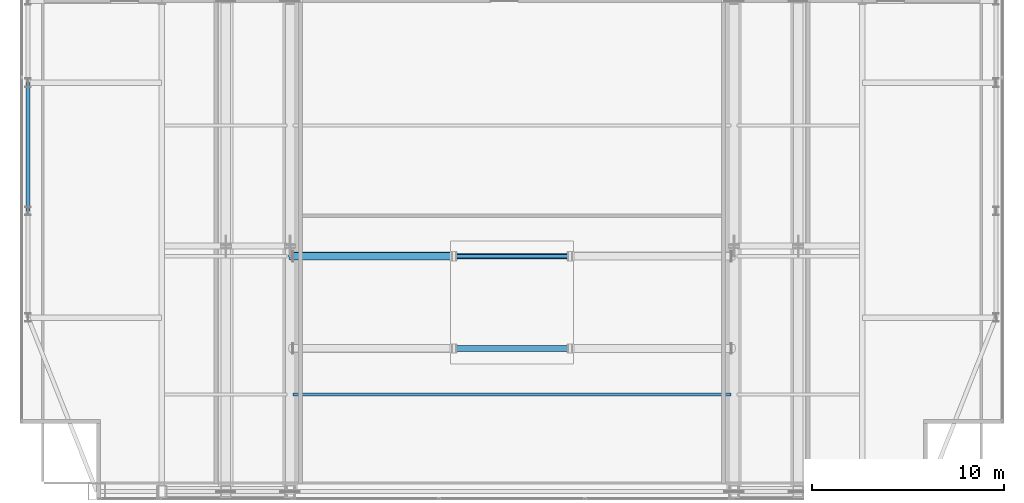
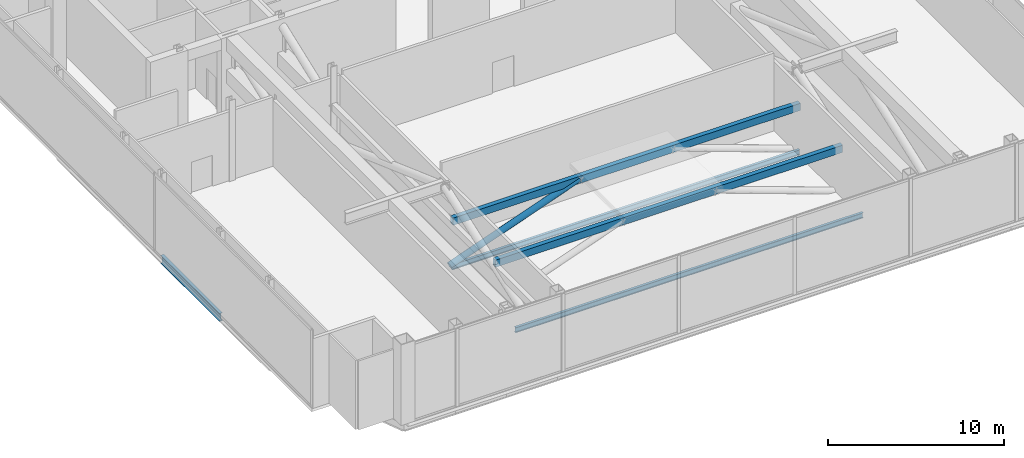
# One storey, part 9 of 26: 5 beams, 1 member.
"""IFC4 building model written with IfcOpenShell, lengths in metres."""

import ifcopenshell
import ifcopenshell.guid

model = None  # the IFC model being written
_history = None  # IfcOwnerHistory: only IFC2X3 demands one
_inside = {}  # id of a spatial element -> (the spatial element, [elements in it])
_under = {}  # id of a project, library or spatial element -> (it, [spatial elements below it])
_declared = {}  # id of a project -> (the project, [libraries it declares])
_typed = {}  # id of a type object -> (the type object, [elements of that type])
_made_of = {}  # id of a material, layer set ... -> (it, [elements and type objects made of it])


def new_model(schema):
    """Start an empty IFC model of exactly this schema.

    Asked for "IFC4X3", IfcOpenShell would pick the latest addendum, in which some entities
    have other attributes; the version numbers below select the first issue.
    IFC2X3 requires an IfcOwnerHistory on every rooted entity: one is made here for all.
    """
    global model, _history
    if schema == "IFC4X3":
        model = ifcopenshell.file(schema_version=(4, 3, 0, 0))
    else:
        model = ifcopenshell.file(schema=schema)
    _inside.clear()
    _under.clear()
    _declared.clear()
    _typed.clear()
    _made_of.clear()
    _history = None
    if model.schema == "IFC2X3":
        org = make("IfcOrganization", Name="unknown")
        user = make(
            "IfcPersonAndOrganization",
            ThePerson=make("IfcPerson", FamilyName="unknown"),
            TheOrganization=org,
        )
        app = make(
            "IfcApplication",
            ApplicationDeveloper=org,
            Version="unknown",
            ApplicationFullName="unknown",
            ApplicationIdentifier="unknown",
        )
        _history = make(
            "IfcOwnerHistory",
            OwningUser=user,
            OwningApplication=app,
            ChangeAction="ADDED",
            CreationDate=0,
        )
    return model


def make(cls, **values):
    """One entity of the class cls with the attributes given. An attribute that is None is left unset."""
    return model.create_entity(
        cls, **{name: value for name, value in values.items() if value is not None}
    )


def rooted(cls, **values):
    """An entity with a GlobalId (a new one), such as an element, a storey or a relation."""
    return make(cls, GlobalId=ifcopenshell.guid.new(), OwnerHistory=_history, **values)


def si_unit(unit_type, name, prefix=None):
    """IfcSIUnit, for example si_unit("LENGTHUNIT", "METRE", prefix="MILLI")."""
    return make("IfcSIUnit", UnitType=unit_type, Prefix=prefix, Name=name)


def assignment(units):
    """IfcUnitAssignment: the units of a project."""
    return None if units is None else make("IfcUnitAssignment", Units=units)


def point(xyz):
    """IfcCartesianPoint."""
    return None if xyz is None else make("IfcCartesianPoint", Coordinates=xyz)


def direction(xyz):
    """IfcDirection."""
    return None if xyz is None else make("IfcDirection", DirectionRatios=xyz)


def frame(location, z_axis=None, x_axis=None):
    """IfcAxis2Placement3D, a coordinate frame: its origin and axes. An axis left out is left unset."""
    return make(
        "IfcAxis2Placement3D",
        Location=point(location),
        Axis=direction(z_axis),
        RefDirection=direction(x_axis),
    )


def frame_2d(location, x_axis=None):
    """IfcAxis2Placement2D, a coordinate frame in the plane: its origin and x axis."""
    return make(
        "IfcAxis2Placement2D", Location=point(location), RefDirection=direction(x_axis)
    )


def origin():
    """The frame at (0, 0, 0) with its axes left unset."""
    return frame((0.0, 0.0, 0.0))


def origin_2d():
    """The frame at (0, 0) in the plane with its x axis left unset."""
    return frame_2d((0.0, 0.0))


def place(relative_to, where):
    """IfcLocalPlacement: puts the frame where relative to a parent placement (None: the world)."""
    return make(
        "IfcLocalPlacement", PlacementRelTo=relative_to, RelativePlacement=where
    )


def context(
    kind, dimensions, precision=None, world=None, true_north=None, identifier=None
):
    """IfcGeometricRepresentationContext, for example the 3D "Model" context."""
    return make(
        "IfcGeometricRepresentationContext",
        ContextIdentifier=identifier,
        ContextType=kind,
        CoordinateSpaceDimension=dimensions,
        Precision=precision,
        WorldCoordinateSystem=world,
        TrueNorth=true_north,
    )


def subcontext(parent, identifier, kind, view, scale=None):
    """IfcGeometricRepresentationSubContext, for example "Body" below "Model"."""
    return make(
        "IfcGeometricRepresentationSubContext",
        ContextIdentifier=identifier,
        ContextType=kind,
        ParentContext=parent,
        TargetScale=scale,
        TargetView=view,
    )


def project(units=None, contexts=None):
    """IfcProject with its units and contexts."""
    return rooted(
        "IfcProject",
        Name="project",
        RepresentationContexts=contexts,
        UnitsInContext=assignment(units),
    )


def spatial(cls, under=None, at=None, **own):
    """A site, building, storey or space (cls), placed at a placement, below another one or the project."""
    s = rooted(cls, ObjectPlacement=at, **own)
    if under is not None:
        _under.setdefault(under.id(), (under, []))[1].append(s)
    return s


def profile(cls, at=None, kind="AREA", **sizes):
    """A parametric profile (cls). Its sizes go by their IFC names, for example OverallWidth=200.0."""
    return make(cls, ProfileType=kind, Position=at, **sizes)


def hollow_rectangle(**sizes):
    """IfcRectangleHollowProfileDef."""
    return profile("IfcRectangleHollowProfileDef", **sizes)


def hollow_circle(**sizes):
    """IfcCircleHollowProfileDef."""
    return profile("IfcCircleHollowProfileDef", **sizes)


def i_section(**sizes):
    """IfcIShapeProfileDef."""
    return profile("IfcIShapeProfileDef", **sizes)


def extrude(swept, where, along, depth):
    """IfcExtrudedAreaSolid: the profile swept, set in the frame where, extruded along a direction by depth."""
    return make(
        "IfcExtrudedAreaSolid",
        SweptArea=swept,
        Position=where,
        ExtrudedDirection=direction(along),
        Depth=depth,
    )


def shape(context_of_items, identifier, shape_type, items):
    """IfcShapeRepresentation: the items that make up one representation, for example the "Body"."""
    return make(
        "IfcShapeRepresentation",
        ContextOfItems=context_of_items,
        RepresentationIdentifier=identifier,
        RepresentationType=shape_type,
        Items=items,
    )


def material(Name=None, Category=None):
    """IfcMaterial."""
    return make("IfcMaterial", Name=Name, Category=Category)


def material_profile(
    of_material, cross_section, Name=None, Category=None, Priority=None
):
    """IfcMaterialProfile: a cross section and its material."""
    return make(
        "IfcMaterialProfile",
        Name=Name,
        Material=of_material,
        Profile=cross_section,
        Priority=Priority,
        Category=Category,
    )


def profile_set(profiles, Name=None, composite=None):
    """IfcMaterialProfileSet."""
    return make(
        "IfcMaterialProfileSet",
        Name=Name,
        MaterialProfiles=profiles,
        CompositeProfile=composite,
    )


def made_of(thing, what):
    """Note that an element or type object is made of a material, layer set ...; save() writes the relation."""
    if what is not None:
        _made_of.setdefault(what.id(), (what, []))[1].append(thing)
    return thing


def type_object(cls, material=None, **own):
    """A type object (cls), such as IfcWallType, which elements share."""
    return made_of(rooted(cls, **own), material)


def element(
    cls,
    number,
    at=None,
    inside=None,
    cuts=None,
    type_object=None,
    material=None,
    context=None,
    identifier="Body",
    shape_type=None,
    held_by="IfcProductDefinitionShape",
    body=None,
    shapes=None,
    **own,
):
    """One element of the class cls, such as IfcWall. Its Tag is "e" and its number.

    at: its placement. inside: the storey or other place that contains it. cuts: it is an
    opening in that element (IfcRelVoidsElement). A single representation is given by context,
    identifier, shape_type and body (its items); several are given by shapes. held_by: the class
    of the entity that holds the representations. save() writes the other relations.
    """
    e = rooted(cls, Tag="e%d" % number, ObjectPlacement=at, **own)
    if body is not None:
        shapes = [shape(context, identifier, shape_type, body)]
    if shapes is not None:
        e.Representation = make(held_by, Representations=shapes)
    if inside is not None:
        _inside.setdefault(inside.id(), (inside, []))[1].append(e)
    if cuts is not None:
        rooted(
            "IfcRelVoidsElement", RelatingBuildingElement=cuts, RelatedOpeningElement=e
        )
    if type_object is not None:
        _typed.setdefault(type_object.id(), (type_object, []))[1].append(e)
    return made_of(e, material)


def aggregate(whole, parts):
    """IfcRelAggregates: a whole, such as a stair, and the parts it consists of."""
    return rooted("IfcRelAggregates", RelatingObject=whole, RelatedObjects=parts)


def save(model, path):
    """Write the relations noted so far, then the file.

    IfcRelAggregates (storeys below a building ...), IfcRelContainedInSpatialStructure (elements
    in a storey), IfcRelDefinesByType, IfcRelAssociatesMaterial and IfcRelDeclares: one each for
    every whole, place, type object, material and project.
    """
    for whole, parts in _under.values():
        aggregate(whole, parts)
    for where, things in _inside.values():
        rooted(
            "IfcRelContainedInSpatialStructure",
            RelatedElements=things,
            RelatingStructure=where,
        )
    for kind, things in _typed.values():
        rooted("IfcRelDefinesByType", RelatedObjects=things, RelatingType=kind)
    for what, things in _made_of.values():
        rooted("IfcRelAssociatesMaterial", RelatedObjects=things, RelatingMaterial=what)
    for by, libraries in _declared.values():
        rooted("IfcRelDeclares", RelatingContext=by, RelatedDefinitions=libraries)
    model.write(path)


model = new_model("IFC4")

# Units and contexts
model_context = context("Model", 3, precision=1e-05, world=origin(), true_north=direction((0.0, 1.0)))
body_context = subcontext(model_context, "Body", "Model", "MODEL_VIEW")
ifc_project = project(units=[si_unit("LENGTHUNIT", "METRE"), si_unit("AREAUNIT", "SQUARE_METRE"), si_unit("VOLUMEUNIT", "CUBIC_METRE"), si_unit("PLANEANGLEUNIT", "RADIAN"), si_unit("MASSUNIT", "GRAM", prefix="KILO")], contexts=[model_context])

# Site, building, storey
site_placement = place(None, origin())
site = spatial("IfcSite", under=ifc_project, at=site_placement, CompositionType="ELEMENT")
building_placement = place(site_placement, origin())
building = spatial("IfcBuilding", under=site, at=building_placement, Name="Khoronbel Lancet Exchange", CompositionType="ELEMENT")
storey_placement = place(building_placement, frame((0.0, 0.0, 350.60009765625)))
storey = spatial("IfcBuildingStorey", under=building, at=storey_placement, Name="L91", CompositionType="ELEMENT", Elevation=350.60009765625)

# Beams
ifc_material = material(Name="Steel S355", Category="steel")
ifc_material_profile_1 = material_profile(ifc_material, i_section(OverallWidth=0.169921875, OverallDepth=0.360107421875, WebThickness=0.008056640625, FlangeThickness=0.0126953125, at=origin_2d()), Name="IPE 360")
ifc_profile_set_1 = profile_set([ifc_material_profile_1], Name="Steel S355")
beam_type_1 = type_object("IfcBeamType", Name="BM-BJ6", PredefinedType="JOIST", material=ifc_profile_set_1)
for number, where, z_axis, x_axis, name in (
    (1, (25.050048828125, 15.199951171875, -0.400146484375), (1.0, 0.0, 0.0), (0.0, 1.0, 0.0), "Level L91 secondary composite joist J02"),
    (2, (25.050048828125, 22.39990234375, -0.400146484375), (1.0, 0.0, 0.0), (0.0, 1.0, 0.0), "Level L91 secondary composite joist J05"),
):
    element("IfcBeam", number, at=place(storey_placement, frame(where, z_axis=z_axis, x_axis=x_axis)), inside=storey, type_object=beam_type_1, Name=name, PredefinedType="JOIST", context=body_context, shape_type="SweptSolid", body=[
        extrude(i_section(OverallWidth=0.169921875, OverallDepth=0.360107421875, WebThickness=0.008056640625, FlangeThickness=0.0126953125, at=origin_2d()), origin(), (0.0, 0.0, 1.0), 22.800048828125),
    ])
ifc_material_profile_2 = material_profile(ifc_material, i_section(OverallWidth=0.2099609375, OverallDepth=0.550048828125, WebThickness=0.010986328125, FlangeThickness=0.01708984375, at=origin_2d()), Name="IPE 550")
ifc_profile_set_2 = profile_set([ifc_material_profile_2], Name="Steel S355")
beam_type_2 = type_object("IfcBeamType", Name="BM-BSP3", PredefinedType="SPANDREL", material=ifc_profile_set_2)
beam_placement = place(storey_placement, frame((11.27001953125, 31.425048828125, -0.4951171875), z_axis=(0.0, -1.0, 0.0), x_axis=(1.0, 0.0, 0.0)))
element("IfcBeam", 3, at=beam_placement, inside=storey, type_object=beam_type_2, Name="Level L91 perimeter spandrel beam SP17", PredefinedType="SPANDREL", context=body_context, shape_type="SweptSolid", body=[
    extrude(i_section(OverallWidth=0.2099609375, OverallDepth=0.550048828125, WebThickness=0.010986328125, FlangeThickness=0.01708984375, at=origin_2d()), origin(), (0.0, 0.0, 1.0), 6.675048828125),
])
ifc_material_profile_3 = material_profile(ifc_material, hollow_rectangle(XDim=0.300048828125, YDim=0.5, WallThickness=0.02001953125, at=origin_2d()), Name="RHS 500x300x20")
ifc_profile_set_3 = profile_set([ifc_material_profile_3], Name="Steel S355")
beam_type_3 = type_object("IfcBeamType", Name="BM-RB2", PredefinedType="USERDEFINED", material=ifc_profile_set_3)
for number, where, z_axis, x_axis, name in (
    (4, (25.06005859375, 17.60009765625, 2.7998046875), (1.0, 0.0, 0.0), (0.0, 1.0, 0.0), "Tuned mass damper inertia cradle ring beam RB1"),
    (5, (25.06005859375, 22.39990234375, 2.7998046875), (1.0, 0.0, 0.0), (0.0, 1.0, 0.0), "Tuned mass damper inertia cradle ring beam RB2"),
):
    element("IfcBeam", number, at=place(storey_placement, frame(where, z_axis=z_axis, x_axis=x_axis)), inside=storey, type_object=beam_type_3, Name=name, ObjectType="RING BEAM", PredefinedType="USERDEFINED", context=body_context, shape_type="SweptSolid", body=[
        extrude(hollow_rectangle(XDim=0.300048828125, YDim=0.5, WallThickness=0.02001953125, at=origin_2d()), origin(), (0.0, 0.0, 1.0), 22.780029296875),
    ])

# Member
ifc_material_profile_4 = material_profile(ifc_material, hollow_circle(Radius=0.203125, WallThickness=0.02001953125, at=origin_2d()), Name="CHS 406.4x20")
ifc_profile_set_4 = profile_set([ifc_material_profile_4], Name="Steel S355")
member_type = type_object("IfcMemberType", Name="MEM-STR2", PredefinedType="STRUT", material=ifc_profile_set_4)
member_placement = place(storey_placement, frame((24.89990234375, 22.39990234375, -0.25), z_axis=(0.941246682477, 0.0, 0.337719828743), x_axis=(0.0, 1.0, 0.0)))
element("IfcMember", 6, at=member_placement, inside=storey, type_object=member_type, Name="Tuned mass damper viscous restraint strut 4", PredefinedType="STRUT", context=body_context, shape_type="SweptSolid", body=[
    extrude(hollow_circle(Radius=0.203125, WallThickness=0.02001953125, at=origin_2d()), origin(), (0.0, 0.0, 1.0), 9.030517578125),
])

save(model, "model.ifc")
